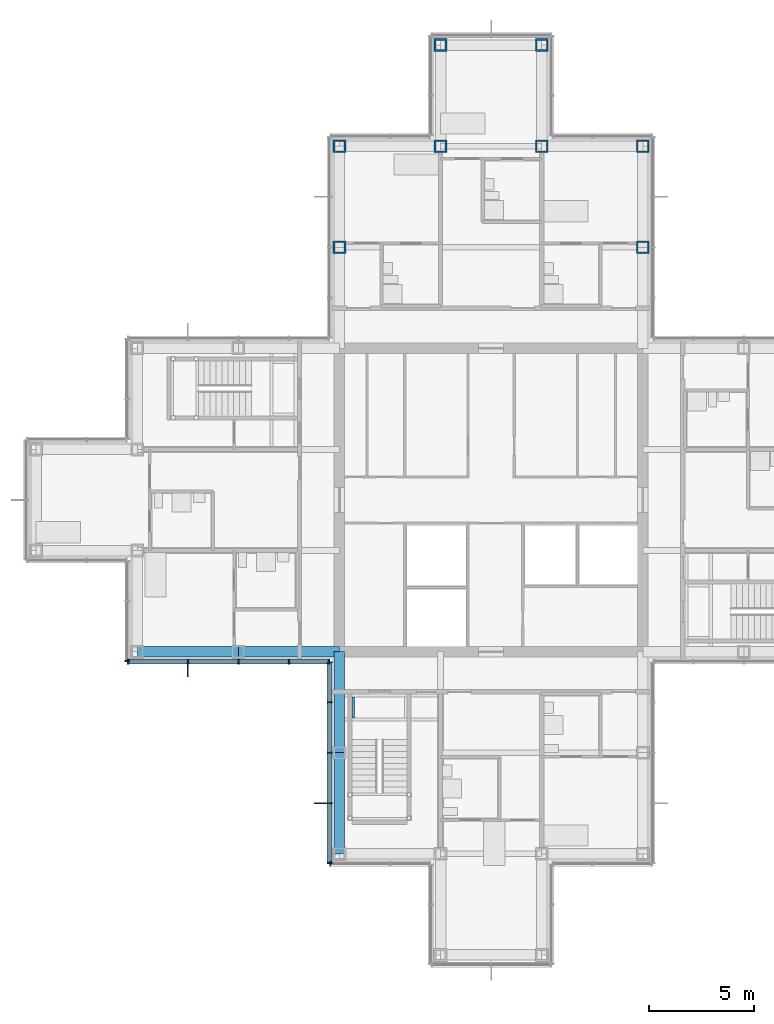
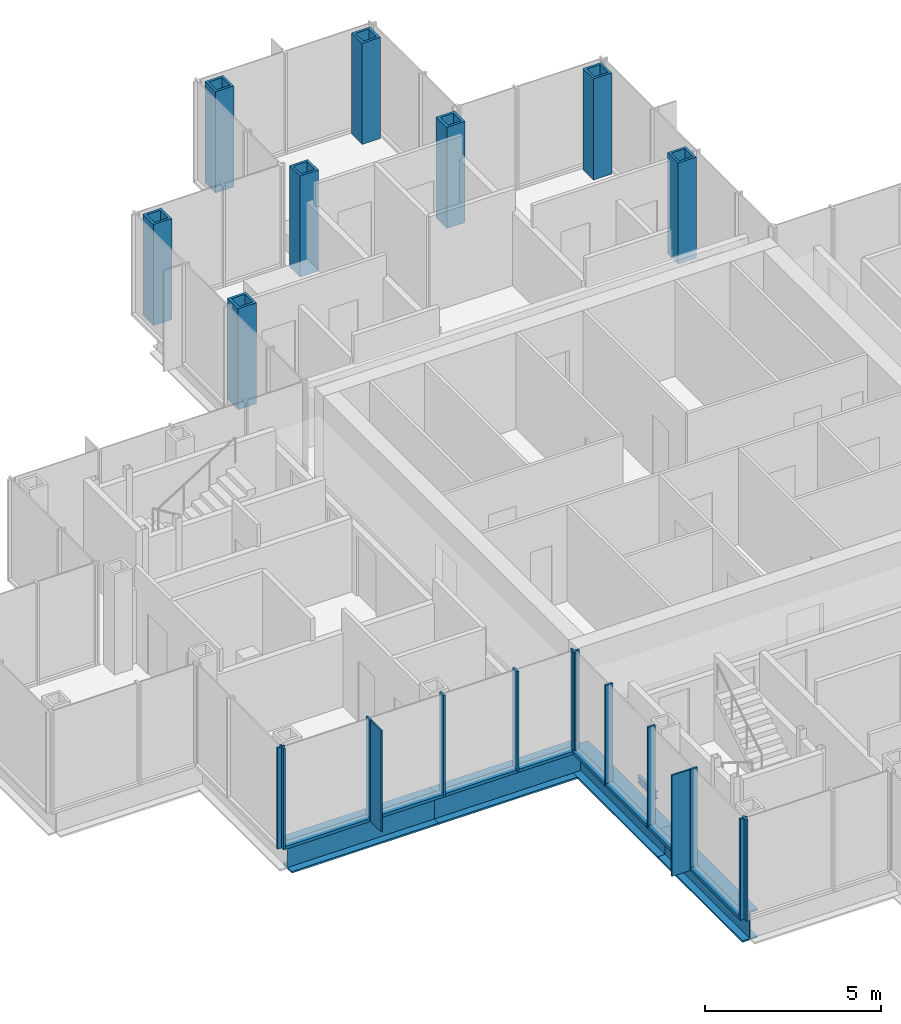
# One storey, part 5 of 17: 22 members, 8 columns, 5 beams, 4 elements without a shape of their own.
"""IFC4 building model written with IfcOpenShell, lengths in metres."""

from ifc_helpers import new_model, si_unit, direction, frame, origin, origin_2d, place, context, subcontext, project, spatial, rectangle, hollow_rectangle, i_section, extrude, material, material_profile, profile_set, type_object, element, aggregate, save


model = new_model("IFC4")

# Units and contexts
model_context = context("Model", 3, precision=1e-05, world=origin(), true_north=direction((0.0, 1.0)))
body_context = subcontext(model_context, "Body", "Model", "MODEL_VIEW")
ifc_project = project(units=[si_unit("LENGTHUNIT", "METRE"), si_unit("AREAUNIT", "SQUARE_METRE"), si_unit("VOLUMEUNIT", "CUBIC_METRE"), si_unit("PLANEANGLEUNIT", "RADIAN"), si_unit("MASSUNIT", "GRAM", prefix="KILO")], contexts=[model_context])

# Site, building, storey
site_placement = place(None, origin())
site = spatial("IfcSite", under=ifc_project, at=site_placement, CompositionType="ELEMENT")
building_placement = place(site_placement, origin())
building = spatial("IfcBuilding", under=site, at=building_placement, Name="Kvirike Care Tower", CompositionType="ELEMENT")
storey_placement = place(building_placement, frame((0.0, 0.0, 176.0)))
storey = spatial("IfcBuildingStorey", under=building, at=storey_placement, Name="L48", CompositionType="ELEMENT", Elevation=176.0)

# Columns
ifc_material_1 = material(Name="Steel S460", Category="steel")
ifc_material_profile_1 = material_profile(ifc_material_1, hollow_rectangle(XDim=0.60009765625, YDim=0.60009765625, WallThickness=0.080078125, at=origin_2d()), Name="BX 600x600x80")
ifc_profile_set_1 = profile_set([ifc_material_profile_1], Name="Steel S460")
column_type = type_object("IfcColumnType", Name="COLUMN BX 600x600x80", PredefinedType="COLUMN", material=ifc_profile_set_1)
for number, where, z_axis, x_axis, name in (
    (1, (14.39990234375, 48.0, 0.0), (0.0, 0.0, 1.0), (1.0, 0.0, 0.0), "Column L6 L48"),
    (2, (14.39990234375, 52.800048828125, 0.0), (0.0, 0.0, 1.0), (0.0, 1.0, 0.0), "Column M6 L48"),
    (3, (19.199951171875, 52.800048828125, 0.0), (0.0, 0.0, 1.0), (0.0, 1.0, 0.0), "Column M7 L48"),
    (4, (19.199951171875, 57.60009765625, 0.0), (0.0, 0.0, 1.0), (0.0, 1.0, 0.0), "Column N7 L48"),
    (5, (24.0, 52.800048828125, 0.0), (0.0, 0.0, 1.0), (0.0, 1.0, 0.0), "Column M8 L48"),
    (6, (24.0, 57.60009765625, 0.0), (0.0, 0.0, 1.0), (0.0, 1.0, 0.0), "Column N8 L48"),
    (7, (28.800048828125, 48.0, 0.0), (0.0, 0.0, 1.0), (1.0, 0.0, 0.0), "Column L9 L48"),
    (8, (28.800048828125, 52.800048828125, 0.0), (0.0, 0.0, 1.0), (0.0, 1.0, 0.0), "Column M9 L48"),
):
    element("IfcColumn", number, at=place(storey_placement, frame(where, z_axis=z_axis, x_axis=x_axis)), inside=storey, type_object=column_type, Name=name, PredefinedType="COLUMN", context=body_context, shape_type="SweptSolid", body=[
        extrude(hollow_rectangle(XDim=0.60009765625, YDim=0.60009765625, WallThickness=0.080078125, at=origin_2d()), origin(), (0.0, 0.0, 1.0), 3.5),
    ])

# Curtain wall, member
ifc_material_2 = material(Name="Anodised aluminium stick system", Category="aluminium")
curtain_wall_type = type_object("IfcCurtainWallType", Name="CW-C STICK CURTAIN WALL", PredefinedType="NOTDEFINED", material=ifc_material_2)
curtain_wall_1_placement = place(storey_placement, origin())
curtain_wall_1 = element("IfcCurtainWall", 9, at=curtain_wall_1_placement, inside=storey, type_object=curtain_wall_type, Name="Curtain wall L48 face 21", PredefinedType="NOTDEFINED")
ifc_material_3 = material(Name="Bronze anodised aluminium fin", Category="aluminium")
ifc_material_profile_2 = material_profile(ifc_material_3, rectangle(XDim=0.050048828125, YDim=0.60009765625, at=origin_2d()), Name="BRONZE FIN 600")
ifc_profile_set_2 = profile_set([ifc_material_profile_2], Name="Bronze anodised aluminium fin")
member_type_1 = type_object("IfcMemberType", Name="BRONZE FIN 600", PredefinedType="USERDEFINED", material=ifc_profile_set_2)
member_1_placement = place(storey_placement, frame((7.199951171875, 27.909912109375, 0.0), z_axis=(0.0, 0.0, 1.0), x_axis=(1.0, 0.0, 0.0)))
member_1 = element("IfcMember", 10, at=member_1_placement, type_object=member_type_1, Name="Bronze fin L48 face 21.2", ObjectType="FIN", PredefinedType="USERDEFINED", context=body_context, shape_type="SweptSolid", body=[
    extrude(rectangle(XDim=0.050048828125, YDim=0.60009765625, at=origin_2d()), origin(), (0.0, 0.0, 1.0), 3.5),
])

curtain_wall_2_placement = place(storey_placement, origin())
curtain_wall_2 = element("IfcCurtainWall", 11, at=curtain_wall_2_placement, inside=storey, type_object=curtain_wall_type, Name="Curtain wall L48 face 22", PredefinedType="NOTDEFINED")
member_2_placement = place(storey_placement, frame((13.510009765625, 21.60009765625, 0.0), z_axis=(0.0, 0.0, 1.0), x_axis=(0.0, -1.0, 0.0)))
member_2 = element("IfcMember", 12, at=member_2_placement, type_object=member_type_1, Name="Bronze fin L48 face 22.4", ObjectType="FIN", PredefinedType="USERDEFINED", context=body_context, shape_type="SweptSolid", body=[
    extrude(rectangle(XDim=0.050048828125, YDim=0.60009765625, at=origin_2d()), origin(), (0.0, 0.0, 1.0), 3.5),
])

curtain_wall_3_placement = place(storey_placement, origin())
curtain_wall_3 = element("IfcCurtainWall", 13, at=curtain_wall_3_placement, inside=storey, type_object=curtain_wall_type, Name="Curtain wall L48 face 20", PredefinedType="NOTDEFINED")
ifc_material_4 = material(Name="Bronze anodised aluminium mullion", Category="aluminium")
ifc_material_profile_3 = material_profile(ifc_material_4, rectangle(XDim=0.06494140625, YDim=0.239990234375, at=origin_2d()), Name="CW-C MULLION 65x240")
ifc_profile_set_3 = profile_set([ifc_material_profile_3], Name="Bronze anodised aluminium mullion")
member_type_2 = type_object("IfcMemberType", Name="CW-C MULLION 65x240", PredefinedType="MULLION", material=ifc_profile_set_3)
member_3_placement = place(storey_placement, frame((4.330078125, 28.362548828125, 0.0), z_axis=(0.0, 0.0, 1.0), x_axis=(0.0, -1.0, 0.0)))
member_3 = element("IfcMember", 14, at=member_3_placement, type_object=member_type_2, Name="CW-C mullion L48 face 20.3", PredefinedType="MULLION", context=body_context, shape_type="SweptSolid", body=[
    extrude(rectangle(XDim=0.06494140625, YDim=0.239990234375, at=origin_2d()), origin(), (0.0, 0.0, 1.0), 3.5),
])
aggregate(curtain_wall_3, [member_3])

# Member
member_4_placement = place(storey_placement, frame((4.362548828125, 28.330078125, 0.0), z_axis=(0.0, 0.0, 1.0), x_axis=(1.0, 0.0, 0.0)))
member_4 = element("IfcMember", 15, at=member_4_placement, type_object=member_type_2, Name="CW-C mullion L48 face 21.1", PredefinedType="MULLION", context=body_context, shape_type="SweptSolid", body=[
    extrude(rectangle(XDim=0.06494140625, YDim=0.239990234375, at=origin_2d()), origin(), (0.0, 0.0, 1.0), 3.5),
])

member_5_placement = place(storey_placement, frame((7.199951171875, 28.330078125, 0.0), z_axis=(0.0, 0.0, 1.0), x_axis=(1.0, 0.0, 0.0)))
member_5 = element("IfcMember", 16, at=member_5_placement, type_object=member_type_2, Name="CW-C mullion L48 face 21.2", PredefinedType="MULLION", context=body_context, shape_type="SweptSolid", body=[
    extrude(rectangle(XDim=0.06494140625, YDim=0.239990234375, at=origin_2d()), origin(), (0.0, 0.0, 1.0), 3.5),
])

member_6_placement = place(storey_placement, frame((9.60009765625, 28.330078125, 0.0), z_axis=(0.0, 0.0, 1.0), x_axis=(1.0, 0.0, 0.0)))
member_6 = element("IfcMember", 17, at=member_6_placement, type_object=member_type_2, Name="CW-C mullion L48 face 21.3", PredefinedType="MULLION", context=body_context, shape_type="SweptSolid", body=[
    extrude(rectangle(XDim=0.06494140625, YDim=0.239990234375, at=origin_2d()), origin(), (0.0, 0.0, 1.0), 3.5),
])

member_7_placement = place(storey_placement, frame((12.0, 28.330078125, 0.0), z_axis=(0.0, 0.0, 1.0), x_axis=(1.0, 0.0, 0.0)))
member_7 = element("IfcMember", 18, at=member_7_placement, type_object=member_type_2, Name="CW-C mullion L48 face 21.4", PredefinedType="MULLION", context=body_context, shape_type="SweptSolid", body=[
    extrude(rectangle(XDim=0.06494140625, YDim=0.239990234375, at=origin_2d()), origin(), (0.0, 0.0, 1.0), 3.5),
])

member_8_placement = place(storey_placement, frame((13.8974609375, 28.330078125, 0.0), z_axis=(0.0, 0.0, 1.0), x_axis=(1.0, 0.0, 0.0)))
member_8 = element("IfcMember", 19, at=member_8_placement, type_object=member_type_2, Name="CW-C mullion L48 face 21.5", PredefinedType="MULLION", context=body_context, shape_type="SweptSolid", body=[
    extrude(rectangle(XDim=0.06494140625, YDim=0.239990234375, at=origin_2d()), origin(), (0.0, 0.0, 1.0), 3.5),
])

member_9_placement = place(storey_placement, frame((13.929931640625, 28.297607421875, 0.0), z_axis=(0.0, 0.0, 1.0), x_axis=(0.0, -1.0, 0.0)))
member_9 = element("IfcMember", 20, at=member_9_placement, type_object=member_type_2, Name="CW-C mullion L48 face 22.1", PredefinedType="MULLION", context=body_context, shape_type="SweptSolid", body=[
    extrude(rectangle(XDim=0.06494140625, YDim=0.239990234375, at=origin_2d()), origin(), (0.0, 0.0, 1.0), 3.5),
])

member_10_placement = place(storey_placement, frame((13.929931640625, 26.39990234375, 0.0), z_axis=(0.0, 0.0, 1.0), x_axis=(0.0, -1.0, 0.0)))
member_10 = element("IfcMember", 21, at=member_10_placement, type_object=member_type_2, Name="CW-C mullion L48 face 22.2", PredefinedType="MULLION", context=body_context, shape_type="SweptSolid", body=[
    extrude(rectangle(XDim=0.06494140625, YDim=0.239990234375, at=origin_2d()), origin(), (0.0, 0.0, 1.0), 3.5),
])

member_11_placement = place(storey_placement, frame((13.929931640625, 24.0, 0.0), z_axis=(0.0, 0.0, 1.0), x_axis=(0.0, -1.0, 0.0)))
member_11 = element("IfcMember", 22, at=member_11_placement, type_object=member_type_2, Name="CW-C mullion L48 face 22.3", PredefinedType="MULLION", context=body_context, shape_type="SweptSolid", body=[
    extrude(rectangle(XDim=0.06494140625, YDim=0.239990234375, at=origin_2d()), origin(), (0.0, 0.0, 1.0), 3.5),
])

member_12_placement = place(storey_placement, frame((13.929931640625, 21.60009765625, 0.0), z_axis=(0.0, 0.0, 1.0), x_axis=(0.0, -1.0, 0.0)))
member_12 = element("IfcMember", 23, at=member_12_placement, type_object=member_type_2, Name="CW-C mullion L48 face 22.4", PredefinedType="MULLION", context=body_context, shape_type="SweptSolid", body=[
    extrude(rectangle(XDim=0.06494140625, YDim=0.239990234375, at=origin_2d()), origin(), (0.0, 0.0, 1.0), 3.5),
])

member_13_placement = place(storey_placement, frame((13.929931640625, 18.762451171875, 0.0), z_axis=(0.0, 0.0, 1.0), x_axis=(0.0, -1.0, 0.0)))
member_13 = element("IfcMember", 24, at=member_13_placement, type_object=member_type_2, Name="CW-C mullion L48 face 22.5", PredefinedType="MULLION", context=body_context, shape_type="SweptSolid", body=[
    extrude(rectangle(XDim=0.06494140625, YDim=0.239990234375, at=origin_2d()), origin(), (0.0, 0.0, 1.0), 3.5),
])

# Curtain wall, member
curtain_wall_4_placement = place(storey_placement, origin())
curtain_wall_4 = element("IfcCurtainWall", 25, at=curtain_wall_4_placement, inside=storey, type_object=curtain_wall_type, Name="Curtain wall L48 face 23", PredefinedType="NOTDEFINED")
member_14_placement = place(storey_placement, frame((13.96240234375, 18.72998046875, 0.0), z_axis=(0.0, 0.0, 1.0), x_axis=(1.0, 0.0, 0.0)))
member_14 = element("IfcMember", 26, at=member_14_placement, type_object=member_type_2, Name="CW-C mullion L48 face 23.1", PredefinedType="MULLION", context=body_context, shape_type="SweptSolid", body=[
    extrude(rectangle(XDim=0.06494140625, YDim=0.239990234375, at=origin_2d()), origin(), (0.0, 0.0, 1.0), 3.5),
])
aggregate(curtain_wall_4, [member_14])

# Member
ifc_material_5 = material(Name="Bronze anodised aluminium transom", Category="aluminium")
ifc_material_profile_4 = material_profile(ifc_material_5, rectangle(XDim=0.239990234375, YDim=0.10009765625, at=origin_2d()), Name="CW-C TRANSOM 240x100")
ifc_profile_set_4 = profile_set([ifc_material_profile_4], Name="Bronze anodised aluminium transom")
member_type_3 = type_object("IfcMemberType", Name="CW-C TRANSOM 240x100", PredefinedType="USERDEFINED", material=ifc_profile_set_4)
member_15_placement = place(storey_placement, frame((4.39501953125, 28.330078125, 0.050048828125), z_axis=(1.0, 0.0, 0.0), x_axis=(0.0, 1.0, 0.0)))
member_15 = element("IfcMember", 27, at=member_15_placement, type_object=member_type_3, Name="CW-C sill transom L48 face 21.1", ObjectType="TRANSOM", PredefinedType="USERDEFINED", context=body_context, shape_type="SweptSolid", body=[
    extrude(rectangle(XDim=0.239990234375, YDim=0.10009765625, at=origin_2d()), origin(), (0.0, 0.0, 1.0), 2.7724609375),
])

member_16_placement = place(storey_placement, frame((7.232421875, 28.330078125, 0.050048828125), z_axis=(1.0, 0.0, 0.0), x_axis=(0.0, 1.0, 0.0)))
member_16 = element("IfcMember", 28, at=member_16_placement, type_object=member_type_3, Name="CW-C sill transom L48 face 21.2", ObjectType="TRANSOM", PredefinedType="USERDEFINED", context=body_context, shape_type="SweptSolid", body=[
    extrude(rectangle(XDim=0.239990234375, YDim=0.10009765625, at=origin_2d()), origin(), (0.0, 0.0, 1.0), 2.3349609375),
])

member_17_placement = place(storey_placement, frame((9.632568359375, 28.330078125, 0.050048828125), z_axis=(1.0, 0.0, 0.0), x_axis=(0.0, 1.0, 0.0)))
member_17 = element("IfcMember", 29, at=member_17_placement, type_object=member_type_3, Name="CW-C sill transom L48 face 21.3", ObjectType="TRANSOM", PredefinedType="USERDEFINED", context=body_context, shape_type="SweptSolid", body=[
    extrude(rectangle(XDim=0.239990234375, YDim=0.10009765625, at=origin_2d()), origin(), (0.0, 0.0, 1.0), 2.3349609375),
])

member_18_placement = place(storey_placement, frame((12.032470703125, 28.330078125, 0.050048828125), z_axis=(1.0, 0.0, 0.0), x_axis=(0.0, 1.0, 0.0)))
member_18 = element("IfcMember", 30, at=member_18_placement, type_object=member_type_3, Name="CW-C sill transom L48 face 21.4", ObjectType="TRANSOM", PredefinedType="USERDEFINED", context=body_context, shape_type="SweptSolid", body=[
    extrude(rectangle(XDim=0.239990234375, YDim=0.10009765625, at=origin_2d()), origin(), (0.0, 0.0, 1.0), 1.83251953125),
])

aggregate(curtain_wall_1, [member_4, member_5, member_1, member_6, member_7, member_8, member_15, member_16, member_17, member_18])

member_19_placement = place(storey_placement, frame((13.929931640625, 28.264892578125, 0.050048828125), z_axis=(0.0, -1.0, 0.0), x_axis=(1.0, 0.0, 0.0)))
member_19 = element("IfcMember", 31, at=member_19_placement, type_object=member_type_3, Name="CW-C sill transom L48 face 22.1", ObjectType="TRANSOM", PredefinedType="USERDEFINED", context=body_context, shape_type="SweptSolid", body=[
    extrude(rectangle(XDim=0.239990234375, YDim=0.10009765625, at=origin_2d()), origin(), (0.0, 0.0, 1.0), 1.832275390625),
])

member_20_placement = place(storey_placement, frame((13.929931640625, 26.367431640625, 0.050048828125), z_axis=(0.0, -1.0, 0.0), x_axis=(1.0, 0.0, 0.0)))
member_20 = element("IfcMember", 32, at=member_20_placement, type_object=member_type_3, Name="CW-C sill transom L48 face 22.2", ObjectType="TRANSOM", PredefinedType="USERDEFINED", context=body_context, shape_type="SweptSolid", body=[
    extrude(rectangle(XDim=0.239990234375, YDim=0.10009765625, at=origin_2d()), origin(), (0.0, 0.0, 1.0), 2.3349609375),
])

member_21_placement = place(storey_placement, frame((13.929931640625, 23.967529296875, 0.050048828125), z_axis=(0.0, -1.0, 0.0), x_axis=(1.0, 0.0, 0.0)))
member_21 = element("IfcMember", 33, at=member_21_placement, type_object=member_type_3, Name="CW-C sill transom L48 face 22.3", ObjectType="TRANSOM", PredefinedType="USERDEFINED", context=body_context, shape_type="SweptSolid", body=[
    extrude(rectangle(XDim=0.239990234375, YDim=0.10009765625, at=origin_2d()), origin(), (0.0, 0.0, 1.0), 2.3349609375),
])

member_22_placement = place(storey_placement, frame((13.929931640625, 21.5673828125, 0.050048828125), z_axis=(0.0, -1.0, 0.0), x_axis=(1.0, 0.0, 0.0)))
member_22 = element("IfcMember", 34, at=member_22_placement, type_object=member_type_3, Name="CW-C sill transom L48 face 22.4", ObjectType="TRANSOM", PredefinedType="USERDEFINED", context=body_context, shape_type="SweptSolid", body=[
    extrude(rectangle(XDim=0.239990234375, YDim=0.10009765625, at=origin_2d()), origin(), (0.0, 0.0, 1.0), 2.7724609375),
])

aggregate(curtain_wall_2, [member_9, member_10, member_11, member_12, member_2, member_13, member_19, member_20, member_21, member_22])

# Beams
ifc_material_6 = material(Name="Steel S355", Category="steel")
ifc_material_profile_5 = material_profile(ifc_material_6, i_section(OverallWidth=0.5, OverallDepth=1.0, WebThickness=0.030029296875, FlangeThickness=0.06005859375, at=origin_2d()), Name="PG 1000x500x30x60")
ifc_profile_set_5 = profile_set([ifc_material_profile_5], Name="Steel S355")
beam_type_1 = type_object("IfcBeamType", Name="SPANDREL PG 1000x500x30x60", PredefinedType="SPANDREL", material=ifc_profile_set_5)
beam_1_placement = place(storey_placement, frame((4.800048828125, 28.800048828125, -0.669921875), z_axis=(1.0, 0.0, 0.0), x_axis=(0.0, 1.0, 0.0)))
element("IfcBeam", 35, at=beam_1_placement, inside=storey, type_object=beam_type_1, Name="Spandrel G4-G5 L48", PredefinedType="SPANDREL", context=body_context, shape_type="SweptSolid", body=[
    extrude(i_section(OverallWidth=0.5, OverallDepth=1.0, WebThickness=0.030029296875, FlangeThickness=0.06005859375, at=origin_2d()), origin(), (0.0, 0.0, 1.0), 4.800048828125),
])
beam_2_placement = place(storey_placement, frame((9.60009765625, 28.800048828125, -0.669921875), z_axis=(1.0, 0.0, 0.0), x_axis=(0.0, 1.0, 0.0)))
element("IfcBeam", 36, at=beam_2_placement, inside=storey, type_object=beam_type_1, Name="Spandrel G5-G6 L48", PredefinedType="SPANDREL", context=body_context, shape_type="SweptSolid", body=[
    extrude(i_section(OverallWidth=0.5, OverallDepth=1.0, WebThickness=0.030029296875, FlangeThickness=0.06005859375, at=origin_2d()), origin(), (0.0, 0.0, 1.0), 4.7998046875),
])
for number, where, z_axis, x_axis, name in (
    (37, (14.39990234375, 19.199951171875, -0.669921875), (0.0, 1.0, 0.0), (-1.0, 0.0, 0.0), "Spandrel E6-F6 L48"),
    (38, (14.39990234375, 24.0, -0.669921875), (0.0, 1.0, 0.0), (-1.0, 0.0, 0.0), "Spandrel F6-G6 L48"),
):
    element("IfcBeam", number, at=place(storey_placement, frame(where, z_axis=z_axis, x_axis=x_axis)), inside=storey, type_object=beam_type_1, Name=name, PredefinedType="SPANDREL", context=body_context, shape_type="SweptSolid", body=[
        extrude(i_section(OverallWidth=0.5, OverallDepth=1.0, WebThickness=0.030029296875, FlangeThickness=0.06005859375, at=origin_2d()), origin(), (0.0, 0.0, 1.0), 4.800048828125),
    ])
ifc_material_7 = material(Name="Steel S355", Category="steel")
ifc_material_profile_6 = material_profile(ifc_material_7, i_section(OverallWidth=0.1201171875, OverallDepth=0.239990234375, WebThickness=0.006103515625, FlangeThickness=0.009765625, FilletRadius=0.014892578125, at=origin_2d()), Name="IPE 240")
ifc_profile_set_6 = profile_set([ifc_material_profile_6], Name="Steel S355")
beam_type_2 = type_object("IfcBeamType", Name="STAIR LANDING BEAM IPE 240", PredefinedType="BEAM", material=ifc_profile_set_6)
beam_3_placement = place(storey_placement, frame((15.06005859375, 25.64990234375, -0.320068359375), z_axis=(0.0, 1.0, 0.0), x_axis=(-1.0, 0.0, 0.0)))
element("IfcBeam", 39, at=beam_3_placement, inside=storey, type_object=beam_type_2, Name="Stair 5 landing edge beam 1 L48", PredefinedType="BEAM", context=body_context, shape_type="SweptSolid", body=[
    extrude(i_section(OverallWidth=0.1201171875, OverallDepth=0.239990234375, WebThickness=0.006103515625, FlangeThickness=0.009765625, FilletRadius=0.014892578125, at=origin_2d()), origin(), (0.0, 0.0, 1.0), 1.0),
])

save(model, "model.ifc")
